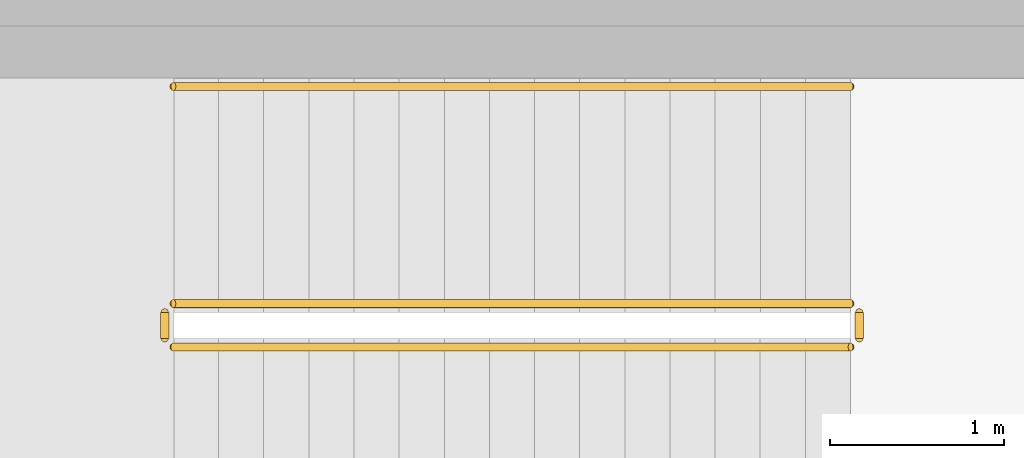
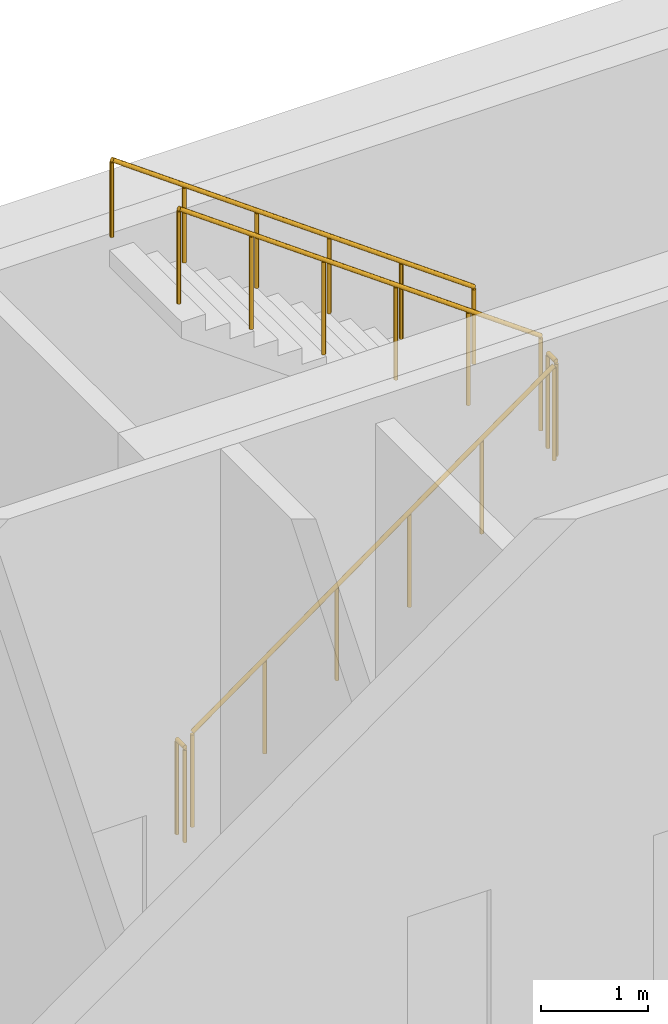
# One storey, part 11 of 11: 5 railings.
"""IFC4 building model written with IfcOpenShell, lengths in metres."""

from ifc_helpers import new_model, si_unit, direction, frame, origin, origin_2d, place, context, subcontext, project, spatial, circle, extrude, material, type_object, element, save


model = new_model("IFC4")

# Units and contexts
model_context = context("Model", 3, precision=1e-05, world=origin(), true_north=direction((0.0, 1.0)))
body_context = subcontext(model_context, "Body", "Model", "MODEL_VIEW")
ifc_project = project(units=[si_unit("LENGTHUNIT", "METRE"), si_unit("AREAUNIT", "SQUARE_METRE"), si_unit("VOLUMEUNIT", "CUBIC_METRE"), si_unit("PLANEANGLEUNIT", "RADIAN"), si_unit("MASSUNIT", "GRAM", prefix="KILO")], contexts=[model_context])

# Site, building, storey
site_placement = place(None, origin())
site = spatial("IfcSite", under=ifc_project, at=site_placement, CompositionType="ELEMENT")
building_placement = place(site_placement, origin())
building = spatial("IfcBuilding", under=site, at=building_placement, Name="White Candle Pilgrim Tower", CompositionType="ELEMENT")
storey_placement = place(building_placement, frame((0.0, 0.0, 300.10009765625)))
storey = spatial("IfcBuildingStorey", under=building, at=storey_placement, Name="L71", CompositionType="ELEMENT", Elevation=300.10009765625)

# Railings
ifc_material = material(Name="Stainless steel", Category="steel")
railing_type_1 = type_object("IfcRailingType", Name="Stair guard stainless steel 1100 mm", PredefinedType="GUARDRAIL", material=ifc_material)
railing_1_placement = place(storey_placement, frame((69.39990234375, 85.550048828125, 0.1875)))
element("IfcRailing", 1, at=railing_1_placement, inside=storey, type_object=railing_type_1, Name="L71 ST3 stair guard 1", PredefinedType="GUARDRAIL", context=body_context, shape_type="SweptSolid", body=[
    extrude(circle(Radius=0.02392578125, at=origin_2d()), frame((0.0, 0.0, 1.076171875), z_axis=(0.811100754333, 0.0, 0.584906459462), x_axis=(0.0, 1.0, 0.0)), (0.0, 0.0, 1.0), 4.808349609375),
    extrude(circle(Radius=0.02099609375, at=origin_2d()), origin(), (0.0, 0.0, 1.0), 1.052001953125),
    extrude(circle(Radius=0.02099609375, at=origin_2d()), frame((0.780029296875, 0.0, 0.5625)), (0.0, 0.0, 1.0), 1.052001953125),
    extrude(circle(Radius=0.02099609375, at=origin_2d()), frame((1.56005859375, 0.0, 1.125)), (0.0, 0.0, 1.0), 1.052001953125),
    extrude(circle(Radius=0.02099609375, at=origin_2d()), frame((2.340087890625, 0.0, 1.6875)), (0.0, 0.0, 1.0), 1.052001953125),
    extrude(circle(Radius=0.02099609375, at=origin_2d()), frame((3.1201171875, 0.0, 2.25)), (0.0, 0.0, 1.0), 1.052001953125),
    extrude(circle(Radius=0.02099609375, at=origin_2d()), frame((3.900146484375, 0.0, 2.8125)), (0.0, 0.0, 1.0), 1.052001953125),
])
railing_2_placement = place(storey_placement, frame((73.35009765625, 85.60009765625, 3.0)))
element("IfcRailing", 2, at=railing_2_placement, inside=storey, type_object=railing_type_1, Name="L71 ST3 stair guard 2", PredefinedType="GUARDRAIL", context=body_context, shape_type="SweptSolid", body=[
    extrude(circle(Radius=0.02392578125, at=origin_2d()), frame((0.0, 0.0, 1.076171875), z_axis=(0.0, 1.0, 0.0), x_axis=(-1.0, 0.0, 0.0)), (0.0, 0.0, 1.0), 0.14990234375),
    extrude(circle(Radius=0.02099609375, at=origin_2d()), origin(), (0.0, 0.0, 1.0), 1.052001953125),
    extrude(circle(Radius=0.02099609375, at=origin_2d()), frame((0.0, 0.14990234375, 0.0)), (0.0, 0.0, 1.0), 1.052001953125),
])
railing_3_placement = place(storey_placement, frame((73.300048828125, 85.800048828125, 3.1875)))
element("IfcRailing", 3, at=railing_3_placement, inside=storey, type_object=railing_type_1, Name="L71 ST3 stair guard 3", PredefinedType="GUARDRAIL", context=body_context, shape_type="SweptSolid", body=[
    extrude(circle(Radius=0.02392578125, at=origin_2d()), frame((0.0, 0.0, 1.076171875), z_axis=(-0.811100754333, 0.0, 0.584906459462), x_axis=(0.0, -1.0, 0.0)), (0.0, 0.0, 1.0), 4.808349609375),
    extrude(circle(Radius=0.02099609375, at=origin_2d()), origin(), (0.0, 0.0, 1.0), 1.052001953125),
    extrude(circle(Radius=0.02099609375, at=origin_2d()), frame((-0.780029296875, 0.0, 0.5625)), (0.0, 0.0, 1.0), 1.052001953125),
    extrude(circle(Radius=0.02099609375, at=origin_2d()), frame((-1.56005859375, 0.0, 1.125)), (0.0, 0.0, 1.0), 1.052001953125),
    extrude(circle(Radius=0.02099609375, at=origin_2d()), frame((-2.340087890625, 0.0, 1.6875)), (0.0, 0.0, 1.0), 1.052001953125),
    extrude(circle(Radius=0.02099609375, at=origin_2d()), frame((-3.1201171875, 0.0, 2.25)), (0.0, 0.0, 1.0), 1.052001953125),
    extrude(circle(Radius=0.02099609375, at=origin_2d()), frame((-3.900146484375, 0.0, 2.8125)), (0.0, 0.0, 1.0), 1.052001953125),
])
railing_4_placement = place(storey_placement, frame((69.35009765625, 85.60009765625, 0.0)))
element("IfcRailing", 4, at=railing_4_placement, inside=storey, type_object=railing_type_1, Name="L71 ST3 stair guard 4", PredefinedType="GUARDRAIL", context=body_context, shape_type="SweptSolid", body=[
    extrude(circle(Radius=0.02392578125, at=origin_2d()), frame((0.0, 0.0, 1.076171875), z_axis=(0.0, 1.0, 0.0), x_axis=(-1.0, 0.0, 0.0)), (0.0, 0.0, 1.0), 0.14990234375),
    extrude(circle(Radius=0.02099609375, at=origin_2d()), origin(), (0.0, 0.0, 1.0), 1.052001953125),
    extrude(circle(Radius=0.02099609375, at=origin_2d()), frame((0.0, 0.14990234375, 0.0)), (0.0, 0.0, 1.0), 1.052001953125),
])
railing_type_2 = type_object("IfcRailingType", Name="Stair handrail stainless steel", PredefinedType="HANDRAIL", material=ifc_material)
railing_5_placement = place(storey_placement, frame((73.300048828125, 87.050048828125, 3.1875)))
element("IfcRailing", 5, at=railing_5_placement, inside=storey, type_object=railing_type_2, Name="L71 ST3 stair handrail 2", PredefinedType="HANDRAIL", context=body_context, shape_type="SweptSolid", body=[
    extrude(circle(Radius=0.02392578125, at=origin_2d()), frame((0.0, 0.0, 0.8759765625), z_axis=(-0.811100754333, 0.0, 0.584906459462), x_axis=(0.0, -1.0, 0.0)), (0.0, 0.0, 1.0), 4.808349609375),
    extrude(circle(Radius=0.02099609375, at=origin_2d()), origin(), (0.0, 0.0, 1.0), 0.851806640625),
    extrude(circle(Radius=0.02099609375, at=origin_2d()), frame((-0.780029296875, 0.0, 0.5625)), (0.0, 0.0, 1.0), 0.851806640625),
    extrude(circle(Radius=0.02099609375, at=origin_2d()), frame((-1.56005859375, 0.0, 1.125)), (0.0, 0.0, 1.0), 0.851806640625),
    extrude(circle(Radius=0.02099609375, at=origin_2d()), frame((-2.340087890625, 0.0, 1.6875)), (0.0, 0.0, 1.0), 0.851806640625),
    extrude(circle(Radius=0.02099609375, at=origin_2d()), frame((-3.1201171875, 0.0, 2.25)), (0.0, 0.0, 1.0), 0.851806640625),
    extrude(circle(Radius=0.02099609375, at=origin_2d()), frame((-3.900146484375, 0.0, 2.8125)), (0.0, 0.0, 1.0), 0.851806640625),
])

save(model, "model.ifc")
